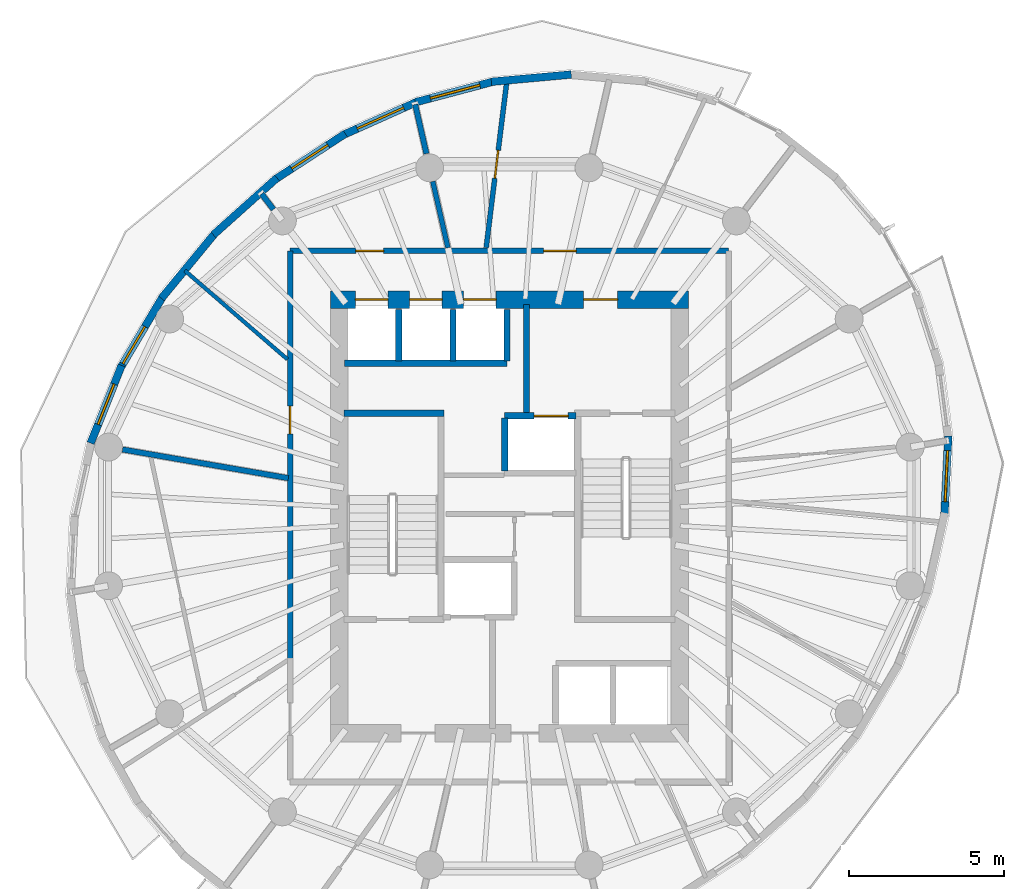
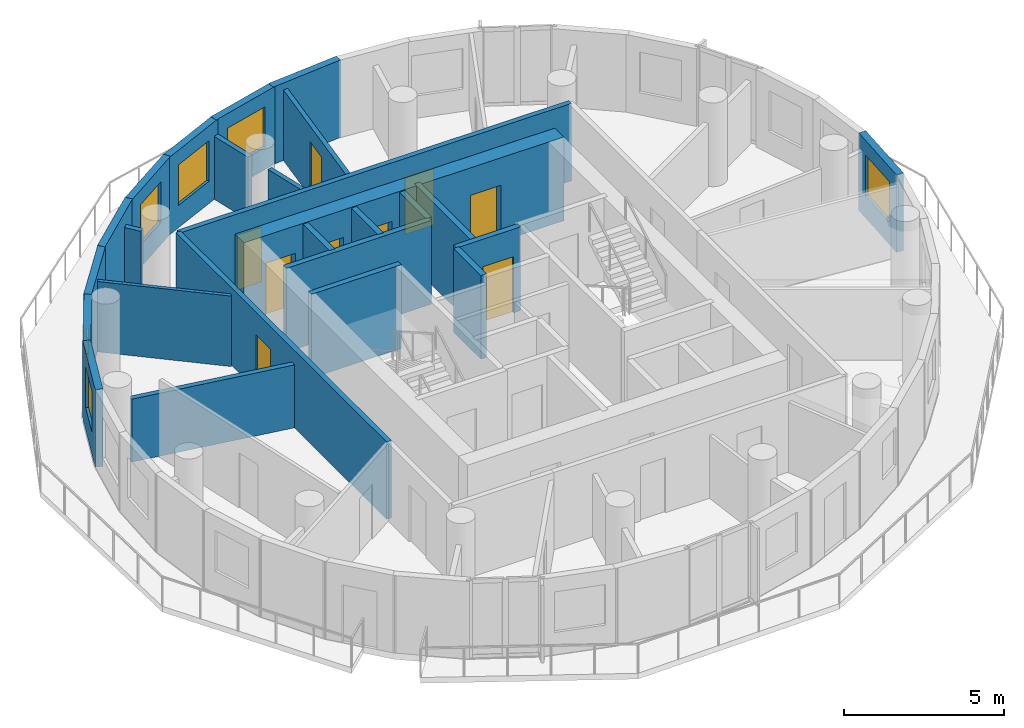
# One storey, part 6 of 10: 26 walls, 9 doors, 6 windows, 15 openings.
"""IFC4 building model written with IfcOpenShell, lengths in metres."""

from ifc_helpers import new_model, si_unit, direction, frame, frame_2d, origin, place, context, subcontext, project, spatial, rectangle, extrude, material, layer, layer_set, type_object, element, fill, save


model = new_model("IFC4")

# Units and contexts
model_context = context("Model", 3, precision=1e-05, world=origin(), true_north=direction((0.0, 1.0)))
body_context = subcontext(model_context, "Body", "Model", "MODEL_VIEW")
ifc_project = project(units=[si_unit("LENGTHUNIT", "METRE"), si_unit("AREAUNIT", "SQUARE_METRE"), si_unit("VOLUMEUNIT", "CUBIC_METRE"), si_unit("PLANEANGLEUNIT", "RADIAN"), si_unit("MASSUNIT", "GRAM", prefix="KILO")], contexts=[model_context])

# Site, building, storey
site_placement = place(None, origin())
site = spatial("IfcSite", under=ifc_project, at=site_placement, CompositionType="ELEMENT")
building_placement = place(site_placement, origin())
building = spatial("IfcBuilding", under=site, at=building_placement, Name="Veldorim Arch Residences", CompositionType="ELEMENT")
storey_placement = place(building_placement, frame((0.0, 0.0, 191.840087890625)))
storey = spatial("IfcBuildingStorey", under=building, at=storey_placement, Name="L57", CompositionType="ELEMENT", Elevation=191.840087890625)

# Walls
ifc_material_1 = material(Name="Acoustic Gypsum Board", Category="gypsum")
ifc_layer_1 = layer(ifc_material_1, 0.125, Name="Acoustic Stud Room Partition Wall 125")
ifc_layer_set_1 = layer_set([ifc_layer_1], Name="Acoustic Gypsum Board")
wall_type_1 = type_object("IfcWallType", Name="Acoustic Stud Room Partition Wall 125", PredefinedType="PARTITIONING", material=ifc_layer_set_1)
wall_1_placement = place(storey_placement, frame((21.515380859375, 31.940673828125, 0.0), z_axis=(0.0, 0.0, 1.0), x_axis=(0.756468247818, -0.654030419815, 0.0)))
element("IfcWall", 1, at=wall_1_placement, inside=storey, type_object=wall_type_1, Name="L57 interior wall WL-RES-L57-018", PredefinedType="PARTITIONING", context=body_context, shape_type="SweptSolid", body=[
    extrude(rectangle(XDim=4.380615234375, YDim=0.125, at=frame_2d((2.1904296875, 0.0))), origin(), (0.0, 0.0, 1.0), 2.69189453125),
])
ifc_material_2 = material(Name="Lightweight Masonry Block & Gypsum", Category="masonry")
ifc_layer_2 = layer(ifc_material_2, 0.179931640625, Name="Compartment & Corridor Fire-Rated Party Wall 180")
ifc_layer_set_2 = layer_set([ifc_layer_2], Name="Lightweight Masonry Block & Gypsum")
wall_type_2 = type_object("IfcWallType", Name="Compartment & Corridor Fire-Rated Party Wall 180", PredefinedType="PARTITIONING", material=ifc_layer_set_2)
wall_2_placement = place(storey_placement, frame((29.320068359375, 35.717529296875, 0.0), z_axis=(0.0, 0.0, 1.0), x_axis=(-0.222967107114, 0.974825968645, 0.0)))
element("IfcWall", 2, at=wall_2_placement, inside=storey, type_object=wall_type_2, Name="L57 interior wall WL-PIER-L57-05", PredefinedType="PARTITIONING", context=body_context, shape_type="SweptSolid", body=[
    extrude(rectangle(XDim=1.63037109375, YDim=0.179931640625, at=frame_2d((0.815185546875, 0.0))), origin(), (0.0, 0.0, 1.0), 2.4033203125),
])
wall_3_placement = place(storey_placement, frame((24.380126953125, 33.91796875, 0.0), z_axis=(0.0, 0.0, 1.0), x_axis=(-0.609112888366, 0.793083532314, 0.0)))
element("IfcWall", 3, at=wall_3_placement, inside=storey, type_object=wall_type_2, Name="L57 interior wall WL-PIER-L57-06", PredefinedType="PARTITIONING", context=body_context, shape_type="SweptSolid", body=[
    extrude(rectangle(XDim=0.631591796875, YDim=0.179931640625, at=frame_2d((0.31591796875, 0.0))), origin(), (0.0, 0.0, 1.0), 2.4033203125),
])

# Wall, openings, doors
wall_4_placement = place(storey_placement, frame((24.919921875, 32.580078125, 0.0), z_axis=(0.0, 0.0, 1.0), x_axis=(1.0, 0.0, 0.0)))
wall_4 = element("IfcWall", 4, at=wall_4_placement, inside=storey, type_object=wall_type_2, Name="L57 interior wall WL-RES-L57-004", PredefinedType="PARTITIONING", context=body_context, shape_type="SweptSolid", body=[
    extrude(rectangle(XDim=14.16015625, YDim=0.179931640625, at=frame_2d((7.080078125, 0.0))), origin(), (0.0, 0.0, 1.0), 2.954833984375),
])
opening_1_placement = place(wall_4_placement, frame((8.186279296875, 0.0, 0.0)))
opening_1 = element("IfcOpeningElement", 5, at=opening_1_placement, cuts=wall_4, Name="Opening DR-FLT", PredefinedType="OPENING", context=body_context, shape_type="SweptSolid", body=[
    extrude(rectangle(XDim=1.050048828125, YDim=2.14990234375, at=frame_2d((0.52490234375, 1.074951171875))), frame((0.0, 0.099853515625, 0.0), z_axis=(0.0, -1.0, 0.0), x_axis=(1.0, 0.0, 0.0)), (0.0, 0.0, 1.0), 0.199951171875),
])
opening_2_placement = place(wall_4_placement, frame((2.118896484375, 0.0, 0.0)))
opening_2 = element("IfcOpeningElement", 6, at=opening_2_placement, cuts=wall_4, Name="Opening DR-SVC", PredefinedType="OPENING", context=body_context, shape_type="SweptSolid", body=[
    extrude(rectangle(XDim=0.89990234375, YDim=2.10009765625, at=frame_2d((0.449951171875, 1.050048828125))), frame((0.0, 0.099853515625, 0.0), z_axis=(0.0, -1.0, 0.0), x_axis=(1.0, 0.0, 0.0)), (0.0, 0.0, 1.0), 0.199951171875),
])
ifc_material_3 = material(Name="Fire-Rated Timber", Category="wood")
door_type_1 = type_object("IfcDoorType", Name="Apartment Entrance Solid-Core Fire Door 1050x2150", OperationType="SINGLE_SWING_LEFT", PredefinedType="DOOR", material=ifc_material_3)
door_1_placement = place(opening_1_placement, origin())
door_1 = element("IfcDoor", 7, at=door_1_placement, inside=storey, type_object=door_type_1, Name="L57 interior door DR-RES-L57-007", OperationType="SINGLE_SWING_LEFT", OverallHeight=2.14990234375, OverallWidth=1.050048828125, PredefinedType="DOOR", context=body_context, shape_type="SweptSolid", body=[
    extrude(rectangle(XDim=1.050048828125, YDim=2.14990234375, at=frame_2d((0.52490234375, 1.074951171875))), frame((0.0, 0.02490234375, 0.0), z_axis=(0.0, -1.0, 0.0), x_axis=(1.0, 0.0, 0.0)), (0.0, 0.0, 1.0), 0.050048828125),
])
fill(opening_1, door_1)
ifc_material_4 = material(Name="Fire-Rated Steel", Category="steel")
door_type_2 = type_object("IfcDoorType", Name="Riser, Shelter & Plant Room Rated Steel Door 900x2100", OperationType="SINGLE_SWING_LEFT", PredefinedType="DOOR", material=ifc_material_4)
door_2_placement = place(opening_2_placement, origin())
door_2 = element("IfcDoor", 8, at=door_2_placement, inside=storey, type_object=door_type_2, Name="L57 interior door DR-RES-L57-011", OperationType="SINGLE_SWING_LEFT", OverallHeight=2.10009765625, OverallWidth=0.89990234375, PredefinedType="DOOR", context=body_context, shape_type="SweptSolid", body=[
    extrude(rectangle(XDim=0.89990234375, YDim=2.10009765625, at=frame_2d((0.449951171875, 1.050048828125))), frame((0.0, 0.02490234375, 0.0), z_axis=(0.0, -1.0, 0.0), x_axis=(1.0, 0.0, 0.0)), (0.0, 0.0, 1.0), 0.050048828125),
])
fill(opening_2, door_2)

# Wall, opening, door
wall_5_placement = place(storey_placement, frame((24.919921875, 19.382080078125, 0.0), z_axis=(0.0, 0.0, 1.0), x_axis=(0.0, 1.0, 0.0)))
wall_5 = element("IfcWall", 9, at=wall_5_placement, inside=storey, type_object=wall_type_2, Name="L57 interior wall WL-RES-L57-005", PredefinedType="PARTITIONING", context=body_context, shape_type="SweptSolid", body=[
    extrude(rectangle(XDim=13.197998046875, YDim=0.179931640625, at=frame_2d((6.59912109375, 0.0))), origin(), (0.0, 0.0, 1.0), 2.954833984375),
])
opening_3_placement = place(wall_5_placement, frame((7.2822265625, 0.0, 0.0)))
opening_3 = element("IfcOpeningElement", 10, at=opening_3_placement, cuts=wall_5, Name="Opening DR-INT", PredefinedType="OPENING", context=body_context, shape_type="SweptSolid", body=[
    extrude(rectangle(XDim=0.89990234375, YDim=2.10009765625, at=frame_2d((0.449951171875, 1.050048828125))), frame((0.0, 0.099853515625, 0.0), z_axis=(0.0, -1.0, 0.0), x_axis=(1.0, 0.0, 0.0)), (0.0, 0.0, 1.0), 0.199951171875),
])
ifc_material_5 = material(Name="Engineered Timber", Category="wood")
door_type_3 = type_object("IfcDoorType", Name="Apartment Internal Room Timber Door 900x2100", OperationType="SINGLE_SWING_LEFT", PredefinedType="DOOR", material=ifc_material_5)
door_3_placement = place(opening_3_placement, origin())
door_3 = element("IfcDoor", 11, at=door_3_placement, inside=storey, type_object=door_type_3, Name="L57 interior door DR-RES-L57-010", OperationType="SINGLE_SWING_RIGHT", OverallHeight=2.10009765625, OverallWidth=0.89990234375, PredefinedType="DOOR", context=body_context, shape_type="SweptSolid", body=[
    extrude(rectangle(XDim=0.89990234375, YDim=2.10009765625, at=frame_2d((0.449951171875, 1.050048828125))), frame((0.0, 0.02490234375, 0.0), z_axis=(0.0, -1.0, 0.0), x_axis=(1.0, 0.0, 0.0)), (0.0, 0.0, 1.0), 0.050048828125),
])
fill(opening_3, door_3)

# Walls
wall_6_placement = place(storey_placement, frame((24.86083984375, 25.235107421875, 0.0), z_axis=(0.0, 0.0, 1.0), x_axis=(-0.985368487575, 0.170437506711, 0.0)))
element("IfcWall", 12, at=wall_6_placement, inside=storey, type_object=wall_type_2, Name="L57 interior wall WL-RES-L57-019", PredefinedType="PARTITIONING", context=body_context, shape_type="SweptSolid", body=[
    extrude(rectangle(XDim=5.43896484375, YDim=0.179931640625, at=frame_2d((2.719482421875, 0.0))), origin(), (0.0, 0.0, 1.0), 2.4033203125),
])
ifc_material_6 = material(Name="Concrete C50/60", Category="concrete")
ifc_layer_3 = layer(ifc_material_6, 0.199951171875, Name="Core Stair & Lift Shaft Enclosure Wall 200")
ifc_layer_set_3 = layer_set([ifc_layer_3], Name="Concrete C50/60")
wall_type_3 = type_object("IfcWallType", Name="Core Stair & Lift Shaft Enclosure Wall 200", PredefinedType="SHEAR", material=ifc_layer_set_3)
wall_7_placement = place(storey_placement, frame((26.64990234375, 27.330078125, 0.0), z_axis=(0.0, 0.0, 1.0), x_axis=(1.0, 0.0, 0.0)))
element("IfcWall", 13, at=wall_7_placement, inside=storey, type_object=wall_type_3, Name="L57 shaft wall WL-SHF-L57-ST1-N", PredefinedType="SHEAR", context=body_context, shape_type="SweptSolid", body=[
    extrude(rectangle(XDim=3.239990234375, YDim=0.199951171875, at=frame_2d((1.6201171875, 0.0))), origin(), (0.0, 0.0, 1.0), 3.199951171875),
])
wall_8_placement = place(storey_placement, frame((32.550048828125, 27.35009765625, 0.0), z_axis=(0.0, 0.0, 1.0), x_axis=(0.0, 1.0, 0.0)))
element("IfcWall", 14, at=wall_8_placement, inside=storey, type_object=wall_type_3, Name="L57 shaft wall WL-FFL2-L57-W", PredefinedType="SHEAR", context=body_context, shape_type="SweptSolid", body=[
    extrude(rectangle(XDim=3.5, YDim=0.199951171875, at=frame_2d((1.75, 0.0))), origin(), (0.0, 0.0, 1.0), 3.199951171875),
])

# Wall, opening, door
wall_9_placement = place(storey_placement, frame((31.85009765625, 27.25, 0.0), z_axis=(0.0, 0.0, 1.0), x_axis=(1.0, 0.0, 0.0)))
wall_9 = element("IfcWall", 15, at=wall_9_placement, inside=storey, type_object=wall_type_3, Name="L57 shaft wall WL-FL02-L57-N", PredefinedType="SHEAR", context=body_context, shape_type="SweptSolid", body=[
    extrude(rectangle(XDim=2.2998046875, YDim=0.199951171875, at=frame_2d((1.14990234375, 0.0))), origin(), (0.0, 0.0, 1.0), 3.199951171875),
])
opening_4_placement = place(wall_9_placement, frame((0.949951171875, 0.0, 0.0)))
opening_4 = element("IfcOpeningElement", 16, at=opening_4_placement, cuts=wall_9, Name="Opening LD-FF", PredefinedType="OPENING", context=body_context, shape_type="SweptSolid", body=[
    extrude(rectangle(XDim=1.10009765625, YDim=2.14990234375, at=frame_2d((0.550048828125, 1.074951171875))), frame((0.0, 0.10986328125, 0.0), z_axis=(0.0, -1.0, 0.0), x_axis=(1.0, 0.0, 0.0)), (0.0, 0.0, 1.0), 0.219970703125),
])
ifc_material_7 = material(Name="Stainless Steel", Category="steel")
door_type_4 = type_object("IfcDoorType", Name="Firefighting Lift Bi-Parting Sliding Landing Door 1100x2150", OperationType="DOUBLE_DOOR_SLIDING", PredefinedType="DOOR", material=ifc_material_7)
door_4_placement = place(opening_4_placement, origin())
door_4 = element("IfcDoor", 17, at=door_4_placement, inside=storey, type_object=door_type_4, Name="L57 lift landing door LD-L57-FL02", OperationType="DOUBLE_DOOR_SLIDING", OverallHeight=2.14990234375, OverallWidth=1.10009765625, PredefinedType="DOOR", context=body_context, shape_type="SweptSolid", body=[
    extrude(rectangle(XDim=1.10009765625, YDim=2.14990234375, at=frame_2d((0.550048828125, 1.074951171875))), frame((0.0, 0.02490234375, 0.0), z_axis=(0.0, -1.0, 0.0), x_axis=(1.0, 0.0, 0.0)), (0.0, 0.0, 1.0), 0.050048828125),
])
fill(opening_4, door_4)

# Walls
wall_10_placement = place(storey_placement, frame((31.85009765625, 25.469970703125, 0.0), z_axis=(0.0, 0.0, 1.0), x_axis=(0.0, 1.0, 0.0)))
element("IfcWall", 18, at=wall_10_placement, inside=storey, type_object=wall_type_3, Name="L57 shaft wall WL-FL02-L57-W", PredefinedType="SHEAR", context=body_context, shape_type="SweptSolid", body=[
    extrude(rectangle(XDim=1.7099609375, YDim=0.199951171875, at=frame_2d((0.85498046875, 0.0))), origin(), (0.0, 0.0, 1.0), 3.199951171875),
])
wall_11_placement = place(storey_placement, frame((26.679931640625, 28.949951171875, 0.0), z_axis=(0.0, 0.0, 1.0), x_axis=(1.0, 0.0, 0.0)))
element("IfcWall", 19, at=wall_11_placement, inside=storey, type_object=wall_type_3, Name="L57 shaft wall WL-B3-L57-S", PredefinedType="SHEAR", context=body_context, shape_type="SweptSolid", body=[
    extrude(rectangle(XDim=5.239990234375, YDim=0.199951171875, at=frame_2d((2.6201171875, 0.0))), origin(), (0.0, 0.0, 1.0), 3.199951171875),
])
for number, where, z_axis, x_axis, name in (
    (20, (31.919921875, 29.02001953125, 0.0), (0.0, 0.0, 1.0), (0.0, 1.0, 0.0), "L57 shaft wall WL-B3-L57-E"),
    (21, (28.425048828125, 29.02001953125, 0.0), (0.0, 0.0, 1.0), (0.0, 1.0, 0.0), "L57 shaft wall WL-B3-L57-D1"),
    (22, (30.175048828125, 29.02001953125, 0.0), (0.0, 0.0, 1.0), (0.0, 1.0, 0.0), "L57 shaft wall WL-B3-L57-D2"),
):
    element("IfcWall", number, at=place(storey_placement, frame(where, z_axis=z_axis, x_axis=x_axis)), inside=storey, type_object=wall_type_3, Name=name, PredefinedType="SHEAR", context=body_context, shape_type="SweptSolid", body=[
        extrude(rectangle(XDim=1.659912109375, YDim=0.199951171875, at=frame_2d((0.830078125, 0.0))), origin(), (0.0, 0.0, 1.0), 3.199951171875),
    ])
ifc_material_8 = material(Name="Precast concrete C40/50", Category="concrete")
ifc_layer_4 = layer(ifc_material_8, 0.25, Name="Tower Terracotta Spandrel & Pier Wall 250")
ifc_layer_set_4 = layer_set([ifc_layer_4], Name="Precast concrete C40/50")
wall_type_4 = type_object("IfcWallType", Name="Tower Terracotta Spandrel & Pier Wall 250", PredefinedType="SOLIDWALL", material=ifc_layer_set_4)
wall_12_placement = place(storey_placement, frame((31.417724609375, 38.04150390625, 0.0), z_axis=(0.0, 0.0, 1.0), x_axis=(0.995895522128, 0.090510270169, 0.0)))
element("IfcWall", 23, at=wall_12_placement, inside=storey, type_object=wall_type_4, Name="L57 terracotta facade wall 05", PredefinedType="SOLIDWALL", context=body_context, shape_type="SweptSolid", body=[
    extrude(rectangle(XDim=2.59228515625, YDim=0.25, at=frame_2d((1.296142578125, 0.0))), origin(), (0.0, 0.0, 1.0), 2.9599609375),
])

# Wall, opening, window
wall_13_placement = place(storey_placement, frame((28.964599609375, 37.380615234375, 0.0), z_axis=(0.0, 0.0, 1.0), x_axis=(0.96652474621, 0.256573410476, 0.0)))
wall_13 = element("IfcWall", 24, at=wall_13_placement, inside=storey, type_object=wall_type_4, Name="L57 terracotta facade wall 06", PredefinedType="SOLIDWALL", context=body_context, shape_type="SweptSolid", body=[
    extrude(rectangle(XDim=2.65087890625, YDim=0.25, at=frame_2d((1.325439453125, 0.0))), origin(), (0.0, 0.0, 1.0), 2.9599609375),
])
opening_5_placement = place(wall_13_placement, frame((0.5009765625, 0.0, 0.85009765625)))
opening_5 = element("IfcOpeningElement", 25, at=opening_5_placement, cuts=wall_13, Name="Opening WN-03", PredefinedType="OPENING", context=body_context, shape_type="SweptSolid", body=[
    extrude(rectangle(XDim=1.64990234375, YDim=1.550048828125, at=frame_2d((0.824951171875, 0.77490234375))), frame((0.0, 0.135009765625, 0.0), z_axis=(0.0, -1.0, 0.0), x_axis=(1.0, 0.0, 0.0)), (0.0, 0.0, 1.0), 0.27001953125),
])
ifc_material_9 = material(Name="Laminated Low-E Glass", Category="glass")
window_type_1 = type_object("IfcWindowType", Name="Residential Wide Window 1650x1550", PartitioningType="SINGLE_PANEL", PredefinedType="WINDOW", material=ifc_material_9)
window_1_placement = place(opening_5_placement, origin())
window_1 = element("IfcWindow", 26, at=window_1_placement, inside=storey, type_object=window_type_1, Name="L57 solar-control facade window 06", OverallHeight=1.550048828125, OverallWidth=1.64990234375, PartitioningType="SINGLE_PANEL", PredefinedType="WINDOW", context=body_context, shape_type="SweptSolid", body=[
    extrude(rectangle(XDim=1.64990234375, YDim=1.550048828125, at=frame_2d((0.824951171875, 0.77490234375))), frame((0.0, 0.030029296875, 0.0), z_axis=(0.0, -1.0, 0.0), x_axis=(1.0, 0.0, 0.0)), (0.0, 0.0, 1.0), 0.06005859375),
])
fill(opening_5, window_1)

wall_14_placement = place(storey_placement, frame((26.6025390625, 36.312744140625, 0.0), z_axis=(0.0, 0.0, 1.0), x_axis=(0.912615139532, 0.408819773368, 0.0)))
wall_14 = element("IfcWall", 27, at=wall_14_placement, inside=storey, type_object=wall_type_4, Name="L57 terracotta facade wall 07", PredefinedType="SOLIDWALL", context=body_context, shape_type="SweptSolid", body=[
    extrude(rectangle(XDim=2.70166015625, YDim=0.25, at=frame_2d((1.350830078125, 0.0))), origin(), (0.0, 0.0, 1.0), 2.9599609375),
])
opening_6_placement = place(wall_14_placement, frame((0.52587890625, 0.0, 0.85009765625)))
opening_6 = element("IfcOpeningElement", 28, at=opening_6_placement, cuts=wall_14, Name="Opening WN-03", PredefinedType="OPENING", context=body_context, shape_type="SweptSolid", body=[
    extrude(rectangle(XDim=1.64990234375, YDim=1.550048828125, at=frame_2d((0.824951171875, 0.77490234375))), frame((0.0, 0.135009765625, 0.0), z_axis=(0.0, -1.0, 0.0), x_axis=(1.0, 0.0, 0.0)), (0.0, 0.0, 1.0), 0.27001953125),
])
window_2_placement = place(opening_6_placement, origin())
window_2 = element("IfcWindow", 29, at=window_2_placement, inside=storey, type_object=window_type_1, Name="L57 solar-control facade window 07", OverallHeight=1.550048828125, OverallWidth=1.64990234375, PartitioningType="SINGLE_PANEL", PredefinedType="WINDOW", context=body_context, shape_type="SweptSolid", body=[
    extrude(rectangle(XDim=1.64990234375, YDim=1.550048828125, at=frame_2d((0.824951171875, 0.77490234375))), frame((0.0, 0.030029296875, 0.0), z_axis=(0.0, -1.0, 0.0), x_axis=(1.0, 0.0, 0.0)), (0.0, 0.0, 1.0), 0.06005859375),
])
fill(opening_6, window_2)

wall_15_placement = place(storey_placement, frame((24.404052734375, 34.8701171875, 0.0), z_axis=(0.0, 0.0, 1.0), x_axis=(0.837860586987, 0.545884270496, 0.0)))
wall_15 = element("IfcWall", 30, at=wall_15_placement, inside=storey, type_object=wall_type_4, Name="L57 terracotta facade wall 08", PredefinedType="SOLIDWALL", context=body_context, shape_type="SweptSolid", body=[
    extrude(rectangle(XDim=2.738525390625, YDim=0.25, at=frame_2d((1.369140625, 0.0))), origin(), (0.0, 0.0, 1.0), 2.9599609375),
])
opening_7_placement = place(wall_15_placement, frame((0.6689453125, 0.0, 0.85009765625)))
opening_7 = element("IfcOpeningElement", 31, at=opening_7_placement, cuts=wall_15, Name="Opening WN-02", PredefinedType="OPENING", context=body_context, shape_type="SweptSolid", body=[
    extrude(rectangle(XDim=1.39990234375, YDim=1.550048828125, at=frame_2d((0.699951171875, 0.77490234375))), frame((0.0, 0.135009765625, 0.0), z_axis=(0.0, -1.0, 0.0), x_axis=(1.0, 0.0, 0.0)), (0.0, 0.0, 1.0), 0.27001953125),
])
ifc_material_10 = material(Name="Laminated Low-E Glass", Category="glass")
window_type_2 = type_object("IfcWindowType", Name="Residential Casement Window 1400x1550", PartitioningType="SINGLE_PANEL", PredefinedType="WINDOW", material=ifc_material_10)
window_3_placement = place(opening_7_placement, origin())
window_3 = element("IfcWindow", 32, at=window_3_placement, inside=storey, type_object=window_type_2, Name="L57 solar-control facade window 08", OverallHeight=1.550048828125, OverallWidth=1.39990234375, PartitioningType="SINGLE_PANEL", PredefinedType="WINDOW", context=body_context, shape_type="SweptSolid", body=[
    extrude(rectangle(XDim=1.39990234375, YDim=1.550048828125, at=frame_2d((0.699951171875, 0.77490234375))), frame((0.0, 0.030029296875, 0.0), z_axis=(0.0, -1.0, 0.0), x_axis=(1.0, 0.0, 0.0)), (0.0, 0.0, 1.0), 0.06005859375),
])
fill(opening_7, window_3)

# Walls
for number, where, z_axis, x_axis, name in (
    (33, (22.43603515625, 33.09619140625, 0.0), (0.0, 0.0, 1.0), (0.744898573364, 0.667177723998, 0.0), "L57 terracotta facade wall 09"),
    (34, (20.7587890625, 31.044921875, 0.0), (0.0, 0.0, 1.0), (0.635409334306, 0.772175483861, 0.0), "L57 terracotta facade wall 10"),
):
    element("IfcWall", number, at=place(storey_placement, frame(where, z_axis=z_axis, x_axis=x_axis)), inside=storey, type_object=wall_type_4, Name=name, PredefinedType="SOLIDWALL", context=body_context, shape_type="SweptSolid", body=[
        extrude(rectangle(XDim=2.758056640625, YDim=0.25, at=frame_2d((1.37890625, 0.0))), origin(), (0.0, 0.0, 1.0), 2.9599609375),
    ])

# Wall, opening, window
wall_16_placement = place(storey_placement, frame((19.423828125, 28.779052734375, 0.0), z_axis=(0.0, 0.0, 1.0), x_axis=(0.510320389621, 0.859984360287, 0.0)))
wall_16 = element("IfcWall", 35, at=wall_16_placement, inside=storey, type_object=wall_type_4, Name="L57 terracotta facade wall 11", PredefinedType="SOLIDWALL", context=body_context, shape_type="SweptSolid", body=[
    extrude(rectangle(XDim=2.73828125, YDim=0.25, at=frame_2d((1.369140625, 0.0))), origin(), (0.0, 0.0, 1.0), 2.9599609375),
])
opening_8_placement = place(wall_16_placement, frame((0.175048828125, 0.0, 0.85009765625)))
opening_8 = element("IfcOpeningElement", 36, at=opening_8_placement, cuts=wall_16, Name="Opening WN-02", PredefinedType="OPENING", context=body_context, shape_type="SweptSolid", body=[
    extrude(rectangle(XDim=1.39990234375, YDim=1.550048828125, at=frame_2d((0.699951171875, 0.77490234375))), frame((0.0, 0.135009765625, 0.0), z_axis=(0.0, -1.0, 0.0), x_axis=(1.0, 0.0, 0.0)), (0.0, 0.0, 1.0), 0.27001953125),
])
window_4_placement = place(opening_8_placement, origin())
window_4 = element("IfcWindow", 37, at=window_4_placement, inside=storey, type_object=window_type_2, Name="L57 solar-control facade window 11", OverallHeight=1.550048828125, OverallWidth=1.39990234375, PartitioningType="SINGLE_PANEL", PredefinedType="WINDOW", context=body_context, shape_type="SweptSolid", body=[
    extrude(rectangle(XDim=1.39990234375, YDim=1.550048828125, at=frame_2d((0.699951171875, 0.77490234375))), frame((0.0, 0.030029296875, 0.0), z_axis=(0.0, -1.0, 0.0), x_axis=(1.0, 0.0, 0.0)), (0.0, 0.0, 1.0), 0.06005859375),
])
fill(opening_8, window_4)

wall_17_placement = place(storey_placement, frame((18.4716796875, 26.367431640625, 0.0), z_axis=(0.0, 0.0, 1.0), x_axis=(0.370330939431, 0.928899884433, 0.0)))
wall_17 = element("IfcWall", 38, at=wall_17_placement, inside=storey, type_object=wall_type_4, Name="L57 terracotta facade wall 12", PredefinedType="SOLIDWALL", context=body_context, shape_type="SweptSolid", body=[
    extrude(rectangle(XDim=2.70166015625, YDim=0.25, at=frame_2d((1.350830078125, 0.0))), origin(), (0.0, 0.0, 1.0), 2.9599609375),
])
opening_9_placement = place(wall_17_placement, frame((0.65087890625, 0.0, 0.85009765625)))
opening_9 = element("IfcOpeningElement", 39, at=opening_9_placement, cuts=wall_17, Name="Opening WN-02", PredefinedType="OPENING", context=body_context, shape_type="SweptSolid", body=[
    extrude(rectangle(XDim=1.39990234375, YDim=1.550048828125, at=frame_2d((0.699951171875, 0.77490234375))), frame((0.0, 0.135009765625, 0.0), z_axis=(0.0, -1.0, 0.0), x_axis=(1.0, 0.0, 0.0)), (0.0, 0.0, 1.0), 0.27001953125),
])
window_5_placement = place(opening_9_placement, origin())
window_5 = element("IfcWindow", 40, at=window_5_placement, inside=storey, type_object=window_type_2, Name="L57 solar-control facade window 12", OverallHeight=1.550048828125, OverallWidth=1.39990234375, PartitioningType="SINGLE_PANEL", PredefinedType="WINDOW", context=body_context, shape_type="SweptSolid", body=[
    extrude(rectangle(XDim=1.39990234375, YDim=1.550048828125, at=frame_2d((0.699951171875, 0.77490234375))), frame((0.0, 0.030029296875, 0.0), z_axis=(0.0, -1.0, 0.0), x_axis=(1.0, 0.0, 0.0)), (0.0, 0.0, 1.0), 0.06005859375),
])
fill(opening_9, window_5)

wall_18_placement = place(storey_placement, frame((46.1796875, 26.595458984375, 0.0), z_axis=(0.0, 0.0, 1.0), x_axis=(-0.048688181414, -0.99881402723, 0.0)))
wall_18 = element("IfcWall", 41, at=wall_18_placement, inside=storey, type_object=wall_type_4, Name="L57 terracotta facade wall 32", PredefinedType="SOLIDWALL", context=body_context, shape_type="SweptSolid", body=[
    extrude(rectangle(XDim=2.592529296875, YDim=0.25, at=frame_2d((1.29638671875, 0.0))), origin(), (0.0, 0.0, 1.0), 2.9599609375),
])
opening_10_placement = place(wall_18_placement, frame((0.470947265625, 0.0, 0.85009765625)))
opening_10 = element("IfcOpeningElement", 42, at=opening_10_placement, cuts=wall_18, Name="Opening WN-03", PredefinedType="OPENING", context=body_context, shape_type="SweptSolid", body=[
    extrude(rectangle(XDim=1.64990234375, YDim=1.550048828125, at=frame_2d((0.824951171875, 0.77490234375))), frame((0.0, 0.135009765625, 0.0), z_axis=(0.0, -1.0, 0.0), x_axis=(1.0, 0.0, 0.0)), (0.0, 0.0, 1.0), 0.27001953125),
])
window_6_placement = place(opening_10_placement, origin())
window_6 = element("IfcWindow", 43, at=window_6_placement, inside=storey, type_object=window_type_1, Name="L57 solar-control facade window 32", OverallHeight=1.550048828125, OverallWidth=1.64990234375, PartitioningType="SINGLE_PANEL", PredefinedType="WINDOW", context=body_context, shape_type="SweptSolid", body=[
    extrude(rectangle(XDim=1.64990234375, YDim=1.550048828125, at=frame_2d((0.824951171875, 0.77490234375))), frame((0.0, 0.030029296875, 0.0), z_axis=(0.0, -1.0, 0.0), x_axis=(1.0, 0.0, 0.0)), (0.0, 0.0, 1.0), 0.06005859375),
])
fill(opening_10, window_6)

# Wall, openings, doors
ifc_material_11 = material(Name="Concrete C50/60", Category="concrete")
ifc_layer_5 = layer(ifc_material_11, 0.5, Name="Upper Central Core Shear Wall 560")
ifc_layer_set_5 = layer_set([ifc_layer_5], Name="Concrete C50/60")
wall_type_5 = type_object("IfcWallType", Name="Upper Central Core Shear Wall 560", PredefinedType="SHEAR", material=ifc_layer_set_5)
wall_19_placement = place(storey_placement, frame((26.219970703125, 31.0, 0.0), z_axis=(0.0, 0.0, 1.0), x_axis=(1.0, 0.0, 0.0)))
wall_19 = element("IfcWall", 44, at=wall_19_placement, inside=storey, type_object=wall_type_5, Name="L57 central core north shear wall", PredefinedType="SHEAR", context=body_context, shape_type="SweptSolid", body=[
    extrude(rectangle(XDim=11.56005859375, YDim=0.56005859375, at=frame_2d((5.780029296875, 0.0))), origin(), (0.0, 0.0, 1.0), 3.199951171875),
])
opening_11_placement = place(wall_19_placement, frame((8.179931640625, 0.0, 0.0)))
opening_11 = element("IfcOpeningElement", 45, at=opening_11_placement, cuts=wall_19, Name="Opening DR-FFL", PredefinedType="OPENING", context=body_context, shape_type="SweptSolid", body=[
    extrude(rectangle(XDim=1.10009765625, YDim=2.14990234375, at=frame_2d((0.550048828125, 1.074951171875))), frame((0.0, 0.2900390625, 0.0), z_axis=(0.0, -1.0, 0.0), x_axis=(1.0, 0.0, 0.0)), (0.0, 0.0, 1.0), 0.580078125),
])
opening_12_placement = place(wall_19_placement, frame((0.804931640625, 0.0, 0.0)))
opening_12 = element("IfcOpeningElement", 46, at=opening_12_placement, cuts=wall_19, Name="Opening LD-PS", PredefinedType="OPENING", context=body_context, shape_type="SweptSolid", body=[
    extrude(rectangle(XDim=1.050048828125, YDim=2.14990234375, at=frame_2d((0.52490234375, 1.074951171875))), frame((0.0, 0.2900390625, 0.0), z_axis=(0.0, -1.0, 0.0), x_axis=(1.0, 0.0, 0.0)), (0.0, 0.0, 1.0), 0.580078125),
])
opening_13_placement = place(wall_19_placement, frame((2.554931640625, 0.0, 0.0)))
opening_13 = element("IfcOpeningElement", 47, at=opening_13_placement, cuts=wall_19, Name="Opening LD-PS", PredefinedType="OPENING", context=body_context, shape_type="SweptSolid", body=[
    extrude(rectangle(XDim=1.050048828125, YDim=2.14990234375, at=frame_2d((0.52490234375, 1.074951171875))), frame((0.0, 0.2900390625, 0.0), z_axis=(0.0, -1.0, 0.0), x_axis=(1.0, 0.0, 0.0)), (0.0, 0.0, 1.0), 0.580078125),
])
opening_14_placement = place(wall_19_placement, frame((4.304931640625, 0.0, 0.0)))
opening_14 = element("IfcOpeningElement", 48, at=opening_14_placement, cuts=wall_19, Name="Opening LD-PS", PredefinedType="OPENING", context=body_context, shape_type="SweptSolid", body=[
    extrude(rectangle(XDim=1.050048828125, YDim=2.14990234375, at=frame_2d((0.52490234375, 1.074951171875))), frame((0.0, 0.2900390625, 0.0), z_axis=(0.0, -1.0, 0.0), x_axis=(1.0, 0.0, 0.0)), (0.0, 0.0, 1.0), 0.580078125),
])
ifc_material_12 = material(Name="Fire-Rated Steel & Vision Glass", Category="steel")
door_type_5 = type_object("IfcDoorType", Name="Firefighting Lobby Smoke-Stop Fire Door 1100x2150", OperationType="SINGLE_SWING_LEFT", PredefinedType="DOOR", material=ifc_material_12)
door_5_placement = place(opening_11_placement, origin())
door_5 = element("IfcDoor", 49, at=door_5_placement, inside=storey, type_object=door_type_5, Name="L57 interior door DR-L57-FFL2", OperationType="SINGLE_SWING_LEFT", OverallHeight=2.14990234375, OverallWidth=1.10009765625, PredefinedType="DOOR", context=body_context, shape_type="SweptSolid", body=[
    extrude(rectangle(XDim=1.10009765625, YDim=2.14990234375, at=frame_2d((0.550048828125, 1.074951171875))), frame((0.0, 0.02490234375, 0.0), z_axis=(0.0, -1.0, 0.0), x_axis=(1.0, 0.0, 0.0)), (0.0, 0.0, 1.0), 0.050048828125),
])
fill(opening_11, door_5)
ifc_material_13 = material(Name="Stainless Steel", Category="steel")
door_type_6 = type_object("IfcDoorType", Name="Passenger Lift Bi-Parting Sliding Landing Door 1050x2150", OperationType="DOUBLE_DOOR_SLIDING", PredefinedType="DOOR", material=ifc_material_13)
door_6_placement = place(opening_12_placement, origin())
door_6 = element("IfcDoor", 50, at=door_6_placement, inside=storey, type_object=door_type_6, Name="L57 lift landing door LD-L57-PL-08", OperationType="DOUBLE_DOOR_SLIDING", OverallHeight=2.14990234375, OverallWidth=1.050048828125, PredefinedType="DOOR", context=body_context, shape_type="SweptSolid", body=[
    extrude(rectangle(XDim=1.050048828125, YDim=2.14990234375, at=frame_2d((0.52490234375, 1.074951171875))), frame((0.0, 0.02490234375, 0.0), z_axis=(0.0, -1.0, 0.0), x_axis=(1.0, 0.0, 0.0)), (0.0, 0.0, 1.0), 0.050048828125),
])
fill(opening_12, door_6)
door_7_placement = place(opening_13_placement, origin())
door_7 = element("IfcDoor", 51, at=door_7_placement, inside=storey, type_object=door_type_6, Name="L57 lift landing door LD-L57-PL-09", OperationType="DOUBLE_DOOR_SLIDING", OverallHeight=2.14990234375, OverallWidth=1.050048828125, PredefinedType="DOOR", context=body_context, shape_type="SweptSolid", body=[
    extrude(rectangle(XDim=1.050048828125, YDim=2.14990234375, at=frame_2d((0.52490234375, 1.074951171875))), frame((0.0, 0.02490234375, 0.0), z_axis=(0.0, -1.0, 0.0), x_axis=(1.0, 0.0, 0.0)), (0.0, 0.0, 1.0), 0.050048828125),
])
fill(opening_13, door_7)
door_8_placement = place(opening_14_placement, origin())
door_8 = element("IfcDoor", 52, at=door_8_placement, inside=storey, type_object=door_type_6, Name="L57 lift landing door LD-L57-PL-10", OperationType="DOUBLE_DOOR_SLIDING", OverallHeight=2.14990234375, OverallWidth=1.050048828125, PredefinedType="DOOR", context=body_context, shape_type="SweptSolid", body=[
    extrude(rectangle(XDim=1.050048828125, YDim=2.14990234375, at=frame_2d((0.52490234375, 1.074951171875))), frame((0.0, 0.02490234375, 0.0), z_axis=(0.0, -1.0, 0.0), x_axis=(1.0, 0.0, 0.0)), (0.0, 0.0, 1.0), 0.050048828125),
])
fill(opening_14, door_8)

# Wall, opening, door
ifc_material_14 = material(Name="Moisture-Resistant Gypsum & Stud", Category="gypsum")
ifc_layer_6 = layer(ifc_material_14, 0.159912109375, Name="Wet-Area Moisture-Resistant Plumbing Wall 160")
ifc_layer_set_6 = layer_set([ifc_layer_6], Name="Moisture-Resistant Gypsum & Stud")
wall_type_6 = type_object("IfcWallType", Name="Wet-Area Moisture-Resistant Plumbing Wall 160", PredefinedType="PLUMBINGWALL", material=ifc_layer_set_6)
wall_20_placement = place(storey_placement, frame((31.249755859375, 32.67919921875, 0.0), z_axis=(0.0, 0.0, 1.0), x_axis=(0.123100196343, 0.992394247091, 0.0)))
wall_20 = element("IfcWall", 53, at=wall_20_placement, inside=storey, type_object=wall_type_6, Name="L57 interior wall WL-RES-L57-015", PredefinedType="PLUMBINGWALL", context=body_context, shape_type="SweptSolid", body=[
    extrude(rectangle(XDim=5.43408203125, YDim=0.159912109375, at=frame_2d((2.717041015625, 0.0))), origin(), (0.0, 0.0, 1.0), 2.69189453125),
])
opening_15_placement = place(wall_20_placement, frame((2.26708984375, 0.0, 0.0)))
opening_15 = element("IfcOpeningElement", 54, at=opening_15_placement, cuts=wall_20, Name="Opening DR-WC", PredefinedType="OPENING", context=body_context, shape_type="SweptSolid", body=[
    extrude(rectangle(XDim=0.89990234375, YDim=2.10009765625, at=frame_2d((0.449951171875, 1.050048828125))), frame((0.0, 0.08984375, 0.0), z_axis=(0.0, -1.0, 0.0), x_axis=(1.0, 0.0, 0.0)), (0.0, 0.0, 1.0), 0.179931640625),
])
ifc_material_15 = material(Name="Laminate Timber", Category="wood")
door_type_7 = type_object("IfcDoorType", Name="Bathroom & Accessible WC Moisture-Sealed Door 900x2100", OperationType="SINGLE_SWING_LEFT", PredefinedType="DOOR", material=ifc_material_15)
door_9_placement = place(opening_15_placement, origin())
door_9 = element("IfcDoor", 55, at=door_9_placement, inside=storey, type_object=door_type_7, Name="L57 interior door DR-RES-L57-008", OperationType="SINGLE_SWING_RIGHT", OverallHeight=2.10009765625, OverallWidth=0.89990234375, PredefinedType="DOOR", context=body_context, shape_type="SweptSolid", body=[
    extrude(rectangle(XDim=0.89990234375, YDim=2.10009765625, at=frame_2d((0.449951171875, 1.050048828125))), frame((0.0, 0.02490234375, 0.0), z_axis=(0.0, -1.0, 0.0), x_axis=(1.0, 0.0, 0.0)), (0.0, 0.0, 1.0), 0.050048828125),
])
fill(opening_15, door_9)

# Wall
wall_21_placement = place(storey_placement, frame((30.015380859375, 32.677490234375, 0.0), z_axis=(0.0, 0.0, 1.0), x_axis=(-0.222969522248, 0.974825416241, 0.0)))
element("IfcWall", 56, at=wall_21_placement, inside=storey, type_object=wall_type_6, Name="L57 interior wall WL-RES-L57-017", PredefinedType="PLUMBINGWALL", context=body_context, shape_type="SweptSolid", body=[
    extrude(rectangle(XDim=2.19873046875, YDim=0.159912109375, at=frame_2d((1.099365234375, 0.0))), origin(), (0.0, 0.0, 1.0), 2.4033203125),
])

save(model, "model.ifc")
